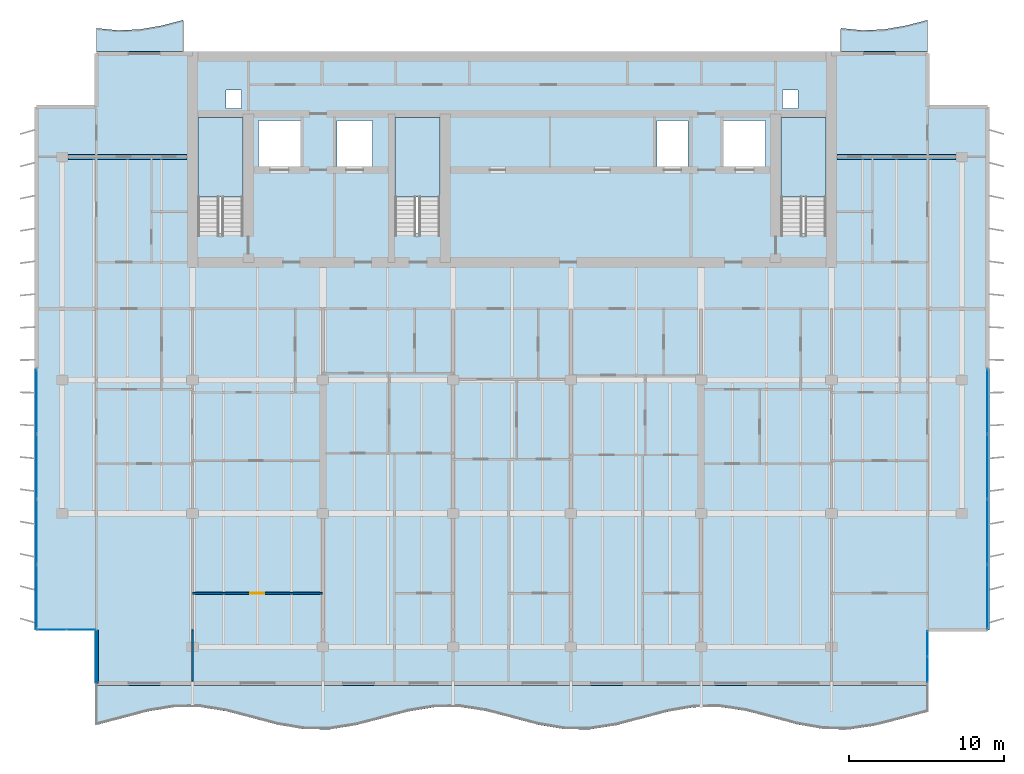
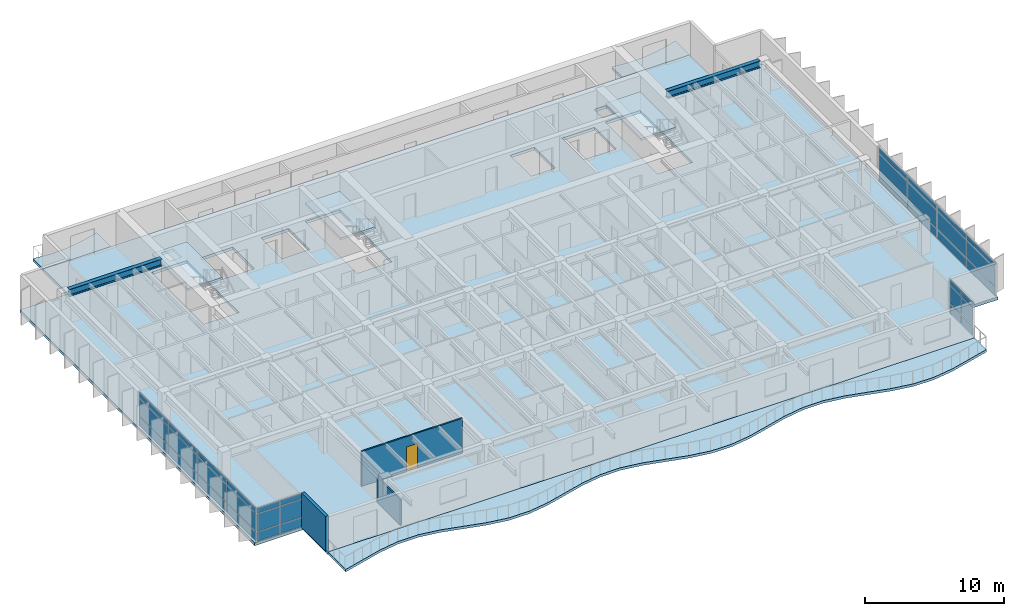
# One storey, part 5 of 16: 36 plates, 7 slabs, 3 walls, 2 beams, 1 door, 1 opening, 7 elements without a shape of their own.
"""IFC4 building model written with IfcOpenShell, lengths in metres."""

from ifc_helpers import new_model, si_unit, direction, frame, frame_2d, origin, origin_2d, place, context, subcontext, project, spatial, polyline, rectangle, i_section, outline, extrude, material, layer, layer_set, material_profile, profile_set, type_object, element, fill, aggregate, save


model = new_model("IFC4")

# Units and contexts
model_context = context("Model", 3, precision=1e-05, world=origin(), true_north=direction((0.0, 1.0)))
body_context = subcontext(model_context, "Body", "Model", "MODEL_VIEW")
ifc_project = project(units=[si_unit("LENGTHUNIT", "METRE"), si_unit("AREAUNIT", "SQUARE_METRE"), si_unit("VOLUMEUNIT", "CUBIC_METRE"), si_unit("PLANEANGLEUNIT", "RADIAN"), si_unit("MASSUNIT", "GRAM", prefix="KILO")], contexts=[model_context])

# Site, building, storey
site_placement = place(None, origin())
site = spatial("IfcSite", under=ifc_project, at=site_placement, CompositionType="ELEMENT")
building_placement = place(site_placement, origin())
building = spatial("IfcBuilding", under=site, at=building_placement, Name="Caelmar Bay Residences", CompositionType="ELEMENT")
storey_placement = place(building_placement, frame((0.0, 0.0, 233.10009765625)))
storey = spatial("IfcBuildingStorey", under=building, at=storey_placement, Name="L65", CompositionType="ELEMENT", Elevation=233.10009765625)

# Beams
ifc_material_1 = material(Name="Steel ASTM A992 Grade 50", Category="steel")
ifc_material_profile = material_profile(ifc_material_1, i_section(OverallWidth=0.324951171875, OverallDepth=0.616943359375, WebThickness=0.013916015625, FlangeThickness=0.021484375, FilletRadius=0.0126953125, at=origin_2d()), Name="W24X117")
ifc_profile_set = profile_set([ifc_material_profile], Name="Steel ASTM A992 Grade 50")
beam_type = type_object("IfcBeamType", Name="BM-SPN-W24X117", PredefinedType="SPANDREL", material=ifc_profile_set)
beam_1_placement = place(storey_placement, frame((10.264892578125, 43.800048828125, 2.741455078125), z_axis=(1.0, 0.0, 0.0), x_axis=(0.0, 1.0, 0.0)))
element("IfcBeam", 1, at=beam_1_placement, inside=storey, type_object=beam_type, Name="L65 North-West Wing Core Tie Girder", PredefinedType="SPANDREL", context=body_context, shape_type="SweptSolid", body=[
    extrude(i_section(OverallWidth=0.324951171875, OverallDepth=0.616943359375, WebThickness=0.013916015625, FlangeThickness=0.021484375, FilletRadius=0.0126953125, at=origin_2d()), origin(), (0.0, 0.0, 1.0), 7.68505859375),
])
beam_2_placement = place(storey_placement, frame((59.85009765625, 43.800048828125, 2.741455078125), z_axis=(1.0, 0.0, 0.0), x_axis=(0.0, 1.0, 0.0)))
element("IfcBeam", 2, at=beam_2_placement, inside=storey, type_object=beam_type, Name="L65 North-East Wing Core Tie Girder", PredefinedType="SPANDREL", context=body_context, shape_type="SweptSolid", body=[
    extrude(i_section(OverallWidth=0.324951171875, OverallDepth=0.616943359375, WebThickness=0.013916015625, FlangeThickness=0.021484375, FilletRadius=0.0126953125, at=origin_2d()), origin(), (0.0, 0.0, 1.0), 7.684814453125),
])

# Curtain wall, plates
ifc_material_2 = material(Name="Anodised bronze aluminium 6063-T6 and laminated glass", Category="aluminium")
ifc_layer_1 = layer(ifc_material_2, 0.179931640625)
ifc_layer_set_1 = layer_set([ifc_layer_1], Name="Anodised bronze aluminium 6063-T6 and laminated glass")
curtain_wall_type_1 = type_object("IfcCurtainWallType", Name="CW6-NTC", PredefinedType="NOTDEFINED", material=ifc_layer_set_1)
curtain_wall_1_placement = place(storey_placement, origin())
curtain_wall_1 = element("IfcCurtainWall", 3, at=curtain_wall_1_placement, inside=storey, type_object=curtain_wall_type_1, Name="CW6 curtain wall L65", PredefinedType="NOTDEFINED")
ifc_material_3 = material(Name="Bronze-tinted laminated low-E hurricane glass 28 mm", Category="glass")
ifc_layer_2 = layer(ifc_material_3, 0.028076171875)
ifc_layer_set_2 = layer_set([ifc_layer_2], Name="Bronze-tinted laminated low-E hurricane glass 28 mm")
plate_type_1 = type_object("IfcPlateType", Name="CWP-GLZ28", PredefinedType="CURTAIN_PANEL", material=ifc_layer_set_2)
plate_1_placement = place(storey_placement, frame((9.232421875, 13.300048828125, 0.080078125), z_axis=(0.0, 0.0, 1.0), x_axis=(1.0, 0.0, 0.0)))
plate_1 = element("IfcPlate", 4, at=plate_1_placement, type_object=plate_type_1, Name="CW6 panel 1.1", PredefinedType="CURTAIN_PANEL", context=body_context, shape_type="SweptSolid", body=[
    extrude(rectangle(XDim=1.804931640625, YDim=0.028076171875, at=origin_2d()), origin(), (0.0, 0.0, 1.0), 0.780029296875),
])
plate_2_placement = place(storey_placement, frame((9.232421875, 13.300048828125, 0.93994140625), z_axis=(0.0, 0.0, 1.0), x_axis=(1.0, 0.0, 0.0)))
plate_2 = element("IfcPlate", 5, at=plate_2_placement, type_object=plate_type_1, Name="CW6 panel 1.2", PredefinedType="CURTAIN_PANEL", context=body_context, shape_type="SweptSolid", body=[
    extrude(rectangle(XDim=1.804931640625, YDim=0.028076171875, at=origin_2d()), origin(), (0.0, 0.0, 1.0), 1.52001953125),
])
plate_3_placement = place(storey_placement, frame((9.232421875, 13.300048828125, 2.5400390625), z_axis=(0.0, 0.0, 1.0), x_axis=(1.0, 0.0, 0.0)))
plate_3 = element("IfcPlate", 6, at=plate_3_placement, type_object=plate_type_1, Name="CW6 panel 1.3", PredefinedType="CURTAIN_PANEL", context=body_context, shape_type="SweptSolid", body=[
    extrude(rectangle(XDim=1.804931640625, YDim=0.028076171875, at=origin_2d()), origin(), (0.0, 0.0, 1.0), 0.429931640625),
])
plate_4_placement = place(storey_placement, frame((11.117431640625, 13.300048828125, 0.080078125), z_axis=(0.0, 0.0, 1.0), x_axis=(1.0, 0.0, 0.0)))
plate_4 = element("IfcPlate", 7, at=plate_4_placement, type_object=plate_type_1, Name="CW6 panel 2.1", PredefinedType="CURTAIN_PANEL", context=body_context, shape_type="SweptSolid", body=[
    extrude(rectangle(XDim=1.804931640625, YDim=0.028076171875, at=origin_2d()), origin(), (0.0, 0.0, 1.0), 0.780029296875),
])
plate_5_placement = place(storey_placement, frame((11.117431640625, 13.300048828125, 0.93994140625), z_axis=(0.0, 0.0, 1.0), x_axis=(1.0, 0.0, 0.0)))
plate_5 = element("IfcPlate", 8, at=plate_5_placement, type_object=plate_type_1, Name="CW6 panel 2.2", PredefinedType="CURTAIN_PANEL", context=body_context, shape_type="SweptSolid", body=[
    extrude(rectangle(XDim=1.804931640625, YDim=0.028076171875, at=origin_2d()), origin(), (0.0, 0.0, 1.0), 1.52001953125),
])
plate_6_placement = place(storey_placement, frame((11.117431640625, 13.300048828125, 2.5400390625), z_axis=(0.0, 0.0, 1.0), x_axis=(1.0, 0.0, 0.0)))
plate_6 = element("IfcPlate", 9, at=plate_6_placement, type_object=plate_type_1, Name="CW6 panel 2.3", PredefinedType="CURTAIN_PANEL", context=body_context, shape_type="SweptSolid", body=[
    extrude(rectangle(XDim=1.804931640625, YDim=0.028076171875, at=origin_2d()), origin(), (0.0, 0.0, 1.0), 0.429931640625),
])
aggregate(curtain_wall_1, [plate_1, plate_2, plate_3, plate_4, plate_5, plate_6])

curtain_wall_2_placement = place(storey_placement, origin())
curtain_wall_2 = element("IfcCurtainWall", 10, at=curtain_wall_2_placement, inside=storey, type_object=curtain_wall_type_1, Name="CW6 curtain wall L65", PredefinedType="NOTDEFINED")
plate_7_placement = place(storey_placement, frame((65.699951171875, 10.732421875, 0.080078125), z_axis=(0.0, 0.0, 1.0), x_axis=(0.0, 1.0, 0.0)))
plate_7 = element("IfcPlate", 11, at=plate_7_placement, type_object=plate_type_1, Name="CW6 panel 1.1", PredefinedType="CURTAIN_PANEL", context=body_context, shape_type="SweptSolid", body=[
    extrude(rectangle(XDim=1.60498046875, YDim=0.028076171875, at=origin_2d()), origin(), (0.0, 0.0, 1.0), 0.780029296875),
])
plate_8_placement = place(storey_placement, frame((65.699951171875, 10.732421875, 0.93994140625), z_axis=(0.0, 0.0, 1.0), x_axis=(0.0, 1.0, 0.0)))
plate_8 = element("IfcPlate", 12, at=plate_8_placement, type_object=plate_type_1, Name="CW6 panel 1.2", PredefinedType="CURTAIN_PANEL", context=body_context, shape_type="SweptSolid", body=[
    extrude(rectangle(XDim=1.60498046875, YDim=0.028076171875, at=origin_2d()), origin(), (0.0, 0.0, 1.0), 1.52001953125),
])
plate_9_placement = place(storey_placement, frame((65.699951171875, 10.732421875, 2.5400390625), z_axis=(0.0, 0.0, 1.0), x_axis=(0.0, 1.0, 0.0)))
plate_9 = element("IfcPlate", 13, at=plate_9_placement, type_object=plate_type_1, Name="CW6 panel 1.3", PredefinedType="CURTAIN_PANEL", context=body_context, shape_type="SweptSolid", body=[
    extrude(rectangle(XDim=1.60498046875, YDim=0.028076171875, at=origin_2d()), origin(), (0.0, 0.0, 1.0), 0.429931640625),
])
plate_10_placement = place(storey_placement, frame((65.699951171875, 12.41748046875, 0.080078125), z_axis=(0.0, 0.0, 1.0), x_axis=(0.0, 1.0, 0.0)))
plate_10 = element("IfcPlate", 14, at=plate_10_placement, type_object=plate_type_1, Name="CW6 panel 2.1", PredefinedType="CURTAIN_PANEL", context=body_context, shape_type="SweptSolid", body=[
    extrude(rectangle(XDim=1.60498046875, YDim=0.028076171875, at=origin_2d()), origin(), (0.0, 0.0, 1.0), 0.780029296875),
])
plate_11_placement = place(storey_placement, frame((65.699951171875, 12.41748046875, 0.93994140625), z_axis=(0.0, 0.0, 1.0), x_axis=(0.0, 1.0, 0.0)))
plate_11 = element("IfcPlate", 15, at=plate_11_placement, type_object=plate_type_1, Name="CW6 panel 2.2", PredefinedType="CURTAIN_PANEL", context=body_context, shape_type="SweptSolid", body=[
    extrude(rectangle(XDim=1.60498046875, YDim=0.028076171875, at=origin_2d()), origin(), (0.0, 0.0, 1.0), 1.52001953125),
])
plate_12_placement = place(storey_placement, frame((65.699951171875, 12.41748046875, 2.5400390625), z_axis=(0.0, 0.0, 1.0), x_axis=(0.0, 1.0, 0.0)))
plate_12 = element("IfcPlate", 16, at=plate_12_placement, type_object=plate_type_1, Name="CW6 panel 2.3", PredefinedType="CURTAIN_PANEL", context=body_context, shape_type="SweptSolid", body=[
    extrude(rectangle(XDim=1.60498046875, YDim=0.028076171875, at=origin_2d()), origin(), (0.0, 0.0, 1.0), 0.429931640625),
])
aggregate(curtain_wall_2, [plate_7, plate_8, plate_9, plate_10, plate_11, plate_12])

ifc_layer_3 = layer(ifc_material_2, 0.179931640625)
ifc_layer_set_3 = layer_set([ifc_layer_3], Name="Anodised bronze aluminium 6063-T6 and laminated glass")
curtain_wall_type_2 = type_object("IfcCurtainWallType", Name="CW5-Z4", PredefinedType="NOTDEFINED", material=ifc_layer_set_3)
curtain_wall_3_placement = place(storey_placement, origin())
curtain_wall_3 = element("IfcCurtainWall", 17, at=curtain_wall_3_placement, inside=storey, type_object=curtain_wall_type_2, Name="CW5 curtain wall L65", PredefinedType="NOTDEFINED")
ifc_material_4 = material(Name="Bronze-tinted laminated low-E hurricane glass 32 mm", Category="glass")
ifc_layer_4 = layer(ifc_material_4, 0.031982421875)
ifc_layer_set_4 = layer_set([ifc_layer_4], Name="Bronze-tinted laminated low-E hurricane glass 32 mm")
plate_type_2 = type_object("IfcPlateType", Name="CWP-GLZ32", PredefinedType="CURTAIN_PANEL", material=ifc_layer_set_4)
plate_13_placement = place(storey_placement, frame((8.25, 15.42626953125, 0.080078125), z_axis=(0.0, 0.0, 1.0), x_axis=(0.0, 1.0, 0.0)))
plate_13 = element("IfcPlate", 18, at=plate_13_placement, type_object=plate_type_2, Name="CW5 panel 1.1", PredefinedType="CURTAIN_PANEL", context=body_context, shape_type="SweptSolid", body=[
    extrude(rectangle(XDim=4.092529296875, YDim=0.031982421875, at=origin_2d()), origin(), (0.0, 0.0, 1.0), 0.780029296875),
])
plate_14_placement = place(storey_placement, frame((8.25, 15.42626953125, 0.93994140625), z_axis=(0.0, 0.0, 1.0), x_axis=(0.0, 1.0, 0.0)))
plate_14 = element("IfcPlate", 19, at=plate_14_placement, type_object=plate_type_2, Name="CW5 panel 1.2", PredefinedType="CURTAIN_PANEL", context=body_context, shape_type="SweptSolid", body=[
    extrude(rectangle(XDim=4.092529296875, YDim=0.031982421875, at=origin_2d()), origin(), (0.0, 0.0, 1.0), 1.52001953125),
])
plate_15_placement = place(storey_placement, frame((8.25, 15.42626953125, 2.5400390625), z_axis=(0.0, 0.0, 1.0), x_axis=(0.0, 1.0, 0.0)))
plate_15 = element("IfcPlate", 20, at=plate_15_placement, type_object=plate_type_2, Name="CW5 panel 1.3", PredefinedType="CURTAIN_PANEL", context=body_context, shape_type="SweptSolid", body=[
    extrude(rectangle(XDim=4.092529296875, YDim=0.031982421875, at=origin_2d()), origin(), (0.0, 0.0, 1.0), 0.429931640625),
])
plate_16_placement = place(storey_placement, frame((8.25, 19.61865234375, 0.080078125), z_axis=(0.0, 0.0, 1.0), x_axis=(0.0, 1.0, 0.0)))
plate_16 = element("IfcPlate", 21, at=plate_16_placement, type_object=plate_type_2, Name="CW5 panel 2.1", PredefinedType="CURTAIN_PANEL", context=body_context, shape_type="SweptSolid", body=[
    extrude(rectangle(XDim=4.132568359375, YDim=0.031982421875, at=origin_2d()), origin(), (0.0, 0.0, 1.0), 0.780029296875),
])
plate_17_placement = place(storey_placement, frame((8.25, 19.61865234375, 0.93994140625), z_axis=(0.0, 0.0, 1.0), x_axis=(0.0, 1.0, 0.0)))
plate_17 = element("IfcPlate", 22, at=plate_17_placement, type_object=plate_type_2, Name="CW5 panel 2.2", PredefinedType="CURTAIN_PANEL", context=body_context, shape_type="SweptSolid", body=[
    extrude(rectangle(XDim=4.132568359375, YDim=0.031982421875, at=origin_2d()), origin(), (0.0, 0.0, 1.0), 1.52001953125),
])
plate_18_placement = place(storey_placement, frame((8.25, 19.61865234375, 2.5400390625), z_axis=(0.0, 0.0, 1.0), x_axis=(0.0, 1.0, 0.0)))
plate_18 = element("IfcPlate", 23, at=plate_18_placement, type_object=plate_type_2, Name="CW5 panel 2.3", PredefinedType="CURTAIN_PANEL", context=body_context, shape_type="SweptSolid", body=[
    extrude(rectangle(XDim=4.132568359375, YDim=0.031982421875, at=origin_2d()), origin(), (0.0, 0.0, 1.0), 0.429931640625),
])
plate_19_placement = place(storey_placement, frame((8.25, 23.831298828125, 0.080078125), z_axis=(0.0, 0.0, 1.0), x_axis=(0.0, 1.0, 0.0)))
plate_19 = element("IfcPlate", 24, at=plate_19_placement, type_object=plate_type_2, Name="CW5 panel 3.1", PredefinedType="CURTAIN_PANEL", context=body_context, shape_type="SweptSolid", body=[
    extrude(rectangle(XDim=4.132568359375, YDim=0.031982421875, at=origin_2d()), origin(), (0.0, 0.0, 1.0), 0.780029296875),
])
plate_20_placement = place(storey_placement, frame((8.25, 23.831298828125, 0.93994140625), z_axis=(0.0, 0.0, 1.0), x_axis=(0.0, 1.0, 0.0)))
plate_20 = element("IfcPlate", 25, at=plate_20_placement, type_object=plate_type_2, Name="CW5 panel 3.2", PredefinedType="CURTAIN_PANEL", context=body_context, shape_type="SweptSolid", body=[
    extrude(rectangle(XDim=4.132568359375, YDim=0.031982421875, at=origin_2d()), origin(), (0.0, 0.0, 1.0), 1.52001953125),
])
plate_21_placement = place(storey_placement, frame((8.25, 23.831298828125, 2.5400390625), z_axis=(0.0, 0.0, 1.0), x_axis=(0.0, 1.0, 0.0)))
plate_21 = element("IfcPlate", 26, at=plate_21_placement, type_object=plate_type_2, Name="CW5 panel 3.3", PredefinedType="CURTAIN_PANEL", context=body_context, shape_type="SweptSolid", body=[
    extrude(rectangle(XDim=4.132568359375, YDim=0.031982421875, at=origin_2d()), origin(), (0.0, 0.0, 1.0), 0.429931640625),
])
plate_22_placement = place(storey_placement, frame((8.25, 28.023681640625, 0.080078125), z_axis=(0.0, 0.0, 1.0), x_axis=(0.0, 1.0, 0.0)))
plate_22 = element("IfcPlate", 27, at=plate_22_placement, type_object=plate_type_2, Name="CW5 panel 4.1", PredefinedType="CURTAIN_PANEL", context=body_context, shape_type="SweptSolid", body=[
    extrude(rectangle(XDim=4.092529296875, YDim=0.031982421875, at=origin_2d()), origin(), (0.0, 0.0, 1.0), 0.780029296875),
])
plate_23_placement = place(storey_placement, frame((8.25, 28.023681640625, 0.93994140625), z_axis=(0.0, 0.0, 1.0), x_axis=(0.0, 1.0, 0.0)))
plate_23 = element("IfcPlate", 28, at=plate_23_placement, type_object=plate_type_2, Name="CW5 panel 4.2", PredefinedType="CURTAIN_PANEL", context=body_context, shape_type="SweptSolid", body=[
    extrude(rectangle(XDim=4.092529296875, YDim=0.031982421875, at=origin_2d()), origin(), (0.0, 0.0, 1.0), 1.52001953125),
])
plate_24_placement = place(storey_placement, frame((8.25, 28.023681640625, 2.5400390625), z_axis=(0.0, 0.0, 1.0), x_axis=(0.0, 1.0, 0.0)))
plate_24 = element("IfcPlate", 29, at=plate_24_placement, type_object=plate_type_2, Name="CW5 panel 4.3", PredefinedType="CURTAIN_PANEL", context=body_context, shape_type="SweptSolid", body=[
    extrude(rectangle(XDim=4.092529296875, YDim=0.031982421875, at=origin_2d()), origin(), (0.0, 0.0, 1.0), 0.429931640625),
])
aggregate(curtain_wall_3, [plate_13, plate_14, plate_15, plate_16, plate_17, plate_18, plate_19, plate_20, plate_21, plate_22, plate_23, plate_24])

curtain_wall_4_placement = place(storey_placement, origin())
curtain_wall_4 = element("IfcCurtainWall", 30, at=curtain_wall_4_placement, inside=storey, type_object=curtain_wall_type_2, Name="CW5 curtain wall L65", PredefinedType="NOTDEFINED")
plate_25_placement = place(storey_placement, frame((69.550048828125, 28.023681640625, 0.080078125), z_axis=(0.0, 0.0, 1.0), x_axis=(0.0, -1.0, 0.0)))
plate_25 = element("IfcPlate", 31, at=plate_25_placement, type_object=plate_type_2, Name="CW5 panel 1.1", PredefinedType="CURTAIN_PANEL", context=body_context, shape_type="SweptSolid", body=[
    extrude(rectangle(XDim=4.092529296875, YDim=0.031982421875, at=origin_2d()), origin(), (0.0, 0.0, 1.0), 0.780029296875),
])
plate_26_placement = place(storey_placement, frame((69.550048828125, 28.023681640625, 0.93994140625), z_axis=(0.0, 0.0, 1.0), x_axis=(0.0, -1.0, 0.0)))
plate_26 = element("IfcPlate", 32, at=plate_26_placement, type_object=plate_type_2, Name="CW5 panel 1.2", PredefinedType="CURTAIN_PANEL", context=body_context, shape_type="SweptSolid", body=[
    extrude(rectangle(XDim=4.092529296875, YDim=0.031982421875, at=origin_2d()), origin(), (0.0, 0.0, 1.0), 1.52001953125),
])
plate_27_placement = place(storey_placement, frame((69.550048828125, 28.023681640625, 2.5400390625), z_axis=(0.0, 0.0, 1.0), x_axis=(0.0, -1.0, 0.0)))
plate_27 = element("IfcPlate", 33, at=plate_27_placement, type_object=plate_type_2, Name="CW5 panel 1.3", PredefinedType="CURTAIN_PANEL", context=body_context, shape_type="SweptSolid", body=[
    extrude(rectangle(XDim=4.092529296875, YDim=0.031982421875, at=origin_2d()), origin(), (0.0, 0.0, 1.0), 0.429931640625),
])
plate_28_placement = place(storey_placement, frame((69.550048828125, 23.831298828125, 0.080078125), z_axis=(0.0, 0.0, 1.0), x_axis=(0.0, -1.0, 0.0)))
plate_28 = element("IfcPlate", 34, at=plate_28_placement, type_object=plate_type_2, Name="CW5 panel 2.1", PredefinedType="CURTAIN_PANEL", context=body_context, shape_type="SweptSolid", body=[
    extrude(rectangle(XDim=4.132568359375, YDim=0.031982421875, at=origin_2d()), origin(), (0.0, 0.0, 1.0), 0.780029296875),
])
plate_29_placement = place(storey_placement, frame((69.550048828125, 23.831298828125, 0.93994140625), z_axis=(0.0, 0.0, 1.0), x_axis=(0.0, -1.0, 0.0)))
plate_29 = element("IfcPlate", 35, at=plate_29_placement, type_object=plate_type_2, Name="CW5 panel 2.2", PredefinedType="CURTAIN_PANEL", context=body_context, shape_type="SweptSolid", body=[
    extrude(rectangle(XDim=4.132568359375, YDim=0.031982421875, at=origin_2d()), origin(), (0.0, 0.0, 1.0), 1.52001953125),
])
plate_30_placement = place(storey_placement, frame((69.550048828125, 23.831298828125, 2.5400390625), z_axis=(0.0, 0.0, 1.0), x_axis=(0.0, -1.0, 0.0)))
plate_30 = element("IfcPlate", 36, at=plate_30_placement, type_object=plate_type_2, Name="CW5 panel 2.3", PredefinedType="CURTAIN_PANEL", context=body_context, shape_type="SweptSolid", body=[
    extrude(rectangle(XDim=4.132568359375, YDim=0.031982421875, at=origin_2d()), origin(), (0.0, 0.0, 1.0), 0.429931640625),
])
plate_31_placement = place(storey_placement, frame((69.550048828125, 19.61865234375, 0.080078125), z_axis=(0.0, 0.0, 1.0), x_axis=(0.0, -1.0, 0.0)))
plate_31 = element("IfcPlate", 37, at=plate_31_placement, type_object=plate_type_2, Name="CW5 panel 3.1", PredefinedType="CURTAIN_PANEL", context=body_context, shape_type="SweptSolid", body=[
    extrude(rectangle(XDim=4.132568359375, YDim=0.031982421875, at=origin_2d()), origin(), (0.0, 0.0, 1.0), 0.780029296875),
])
plate_32_placement = place(storey_placement, frame((69.550048828125, 19.61865234375, 0.93994140625), z_axis=(0.0, 0.0, 1.0), x_axis=(0.0, -1.0, 0.0)))
plate_32 = element("IfcPlate", 38, at=plate_32_placement, type_object=plate_type_2, Name="CW5 panel 3.2", PredefinedType="CURTAIN_PANEL", context=body_context, shape_type="SweptSolid", body=[
    extrude(rectangle(XDim=4.132568359375, YDim=0.031982421875, at=origin_2d()), origin(), (0.0, 0.0, 1.0), 1.52001953125),
])
plate_33_placement = place(storey_placement, frame((69.550048828125, 19.61865234375, 2.5400390625), z_axis=(0.0, 0.0, 1.0), x_axis=(0.0, -1.0, 0.0)))
plate_33 = element("IfcPlate", 39, at=plate_33_placement, type_object=plate_type_2, Name="CW5 panel 3.3", PredefinedType="CURTAIN_PANEL", context=body_context, shape_type="SweptSolid", body=[
    extrude(rectangle(XDim=4.132568359375, YDim=0.031982421875, at=origin_2d()), origin(), (0.0, 0.0, 1.0), 0.429931640625),
])
plate_34_placement = place(storey_placement, frame((69.550048828125, 15.42626953125, 0.080078125), z_axis=(0.0, 0.0, 1.0), x_axis=(0.0, -1.0, 0.0)))
plate_34 = element("IfcPlate", 40, at=plate_34_placement, type_object=plate_type_2, Name="CW5 panel 4.1", PredefinedType="CURTAIN_PANEL", context=body_context, shape_type="SweptSolid", body=[
    extrude(rectangle(XDim=4.092529296875, YDim=0.031982421875, at=origin_2d()), origin(), (0.0, 0.0, 1.0), 0.780029296875),
])
plate_35_placement = place(storey_placement, frame((69.550048828125, 15.42626953125, 0.93994140625), z_axis=(0.0, 0.0, 1.0), x_axis=(0.0, -1.0, 0.0)))
plate_35 = element("IfcPlate", 41, at=plate_35_placement, type_object=plate_type_2, Name="CW5 panel 4.2", PredefinedType="CURTAIN_PANEL", context=body_context, shape_type="SweptSolid", body=[
    extrude(rectangle(XDim=4.092529296875, YDim=0.031982421875, at=origin_2d()), origin(), (0.0, 0.0, 1.0), 1.52001953125),
])
plate_36_placement = place(storey_placement, frame((69.550048828125, 15.42626953125, 2.5400390625), z_axis=(0.0, 0.0, 1.0), x_axis=(0.0, -1.0, 0.0)))
plate_36 = element("IfcPlate", 42, at=plate_36_placement, type_object=plate_type_2, Name="CW5 panel 4.3", PredefinedType="CURTAIN_PANEL", context=body_context, shape_type="SweptSolid", body=[
    extrude(rectangle(XDim=4.092529296875, YDim=0.031982421875, at=origin_2d()), origin(), (0.0, 0.0, 1.0), 0.429931640625),
])
aggregate(curtain_wall_4, [plate_25, plate_26, plate_27, plate_28, plate_29, plate_30, plate_31, plate_32, plate_33, plate_34, plate_35, plate_36])

# Slabs
ifc_material_5 = material(Name="Concrete f'c 40 MPa (6,000 psi)", Category="concrete")
ifc_layer_5 = layer(ifc_material_5, 0.219970703125)
ifc_layer_set_5 = layer_set([ifc_layer_5], Name="Concrete f'c 40 MPa (6,000 psi)")
slab_type_1 = type_object("IfcSlabType", Name="SLB-BAL-220", PredefinedType="FLOOR", material=ifc_layer_set_5)
slab_1_placement = place(storey_placement, frame((0.0, 0.0, -0.22021484375)))
element("IfcSlab", 43, at=slab_1_placement, inside=storey, type_object=slab_type_1, Name="L65 Sinusoidal Tree-Balcony Slab south", PredefinedType="FLOOR", context=body_context, shape_type="SweptSolid", body=[
    extrude(outline(polyline([(12.10009765625, 7.1591796875), (13.77490234375, 7.5986328125), (15.449951171875, 8.03857421875), (17.125, 8.31201171875), (18.800048828125, 8.31494140625), (20.47509765625, 8.04638671875), (22.14990234375, 7.6083984375), (23.824951171875, 7.1669921875), (25.5, 6.890380859375), (27.175048828125, 6.8828125), (28.85009765625, 7.14794921875), (30.52490234375, 7.584716796875), (32.199951171875, 8.027099609375), (33.875, 8.307373046875), (35.550048828125, 8.319091796875), (37.22509765625, 8.0576171875), (38.89990234375, 7.622314453125), (40.574951171875, 7.1787109375), (42.25, 6.89501953125), (43.925048828125, 6.87890625), (45.60009765625, 7.13671875), (47.27490234375, 7.570556640625), (48.949951171875, 8.015380859375), (50.625, 8.302734375), (52.300048828125, 8.322998046875), (53.97509765625, 8.068603515625), (55.64990234375, 7.636474609375), (57.324951171875, 7.190185546875), (59.0, 6.89990234375), (60.675048828125, 6.875244140625), (62.35009765625, 7.125732421875), (64.02490234375, 7.556396484375), (65.699951171875, 8.00390625), (65.699951171875, 9.699951171875), (12.10009765625, 9.699951171875), (12.10009765625, 7.1591796875)])), origin(), (0.0, 0.0, 1.0), 0.22021484375),
])
slab_2_placement = place(storey_placement, frame((0.0, 0.0, -0.22021484375)))
element("IfcSlab", 44, at=slab_2_placement, inside=storey, type_object=slab_type_1, Name="L65 Sinusoidal Tree-Balcony Slab north_west", PredefinedType="FLOOR", context=body_context, shape_type="SweptSolid", body=[
    extrude(outline(polyline([(12.10009765625, 50.60009765625), (17.699951171875, 50.60009765625), (17.699951171875, 52.62158203125), (16.300048828125, 52.25927734375), (14.89990234375, 52.014892578125), (13.5, 51.9541015625), (12.10009765625, 52.09326171875), (12.10009765625, 50.60009765625)])), origin(), (0.0, 0.0, 1.0), 0.22021484375),
])
slab_3_placement = place(storey_placement, frame((0.0, 0.0, -0.22021484375)))
element("IfcSlab", 45, at=slab_3_placement, inside=storey, type_object=slab_type_1, Name="L65 Sinusoidal Tree-Balcony Slab north_east", PredefinedType="FLOOR", context=body_context, shape_type="SweptSolid", body=[
    extrude(outline(polyline([(60.10009765625, 50.60009765625), (65.699951171875, 50.60009765625), (65.699951171875, 52.62158203125), (64.300048828125, 52.25927734375), (62.89990234375, 52.014892578125), (61.5, 51.9541015625), (60.10009765625, 52.09326171875), (60.10009765625, 50.60009765625)])), origin(), (0.0, 0.0, 1.0), 0.22021484375),
])

# Stair, slab
stair_type = type_object("IfcStairType", Name="ST-TYP-165", PredefinedType="HALF_TURN_STAIR", material=ifc_material_5)
stair_1_placement = place(storey_placement, origin())
stair_1 = element("IfcStair", 46, at=stair_1_placement, inside=storey, type_object=stair_type, Name="L65 West Smokeproof Exit Stair ST1", PredefinedType="HALF_TURN_STAIR")
ifc_layer_6 = layer(ifc_material_5, 0.199951171875)
ifc_layer_set_6 = layer_set([ifc_layer_6], Name="Concrete f'c 40 MPa (6,000 psi)")
slab_type_2 = type_object("IfcSlabType", Name="SLB-LND-200", PredefinedType="LANDING", material=ifc_layer_set_6)
slab_4_placement = place(storey_placement, frame((0.0, 0.0, 1.449951171875)))
slab_4 = element("IfcSlab", 47, at=slab_4_placement, type_object=slab_type_2, Name="ST1 landing 1", PredefinedType="LANDING", context=body_context, shape_type="SweptSolid", body=[
    extrude(outline(polyline([(21.550048828125, 41.219970703125), (21.550048828125, 46.35009765625), (18.64990234375, 46.35009765625), (18.64990234375, 41.219970703125), (21.550048828125, 41.219970703125)])), origin(), (0.0, 0.0, 1.0), 0.199951171875),
])
aggregate(stair_1, [slab_4])

stair_2_placement = place(storey_placement, origin())
stair_2 = element("IfcStair", 48, at=stair_2_placement, inside=storey, type_object=stair_type, Name="L65 East Smokeproof Exit Stair ST2", PredefinedType="HALF_TURN_STAIR")
slab_5_placement = place(storey_placement, frame((0.0, 0.0, 1.449951171875)))
slab_5 = element("IfcSlab", 49, at=slab_5_placement, type_object=slab_type_2, Name="ST2 landing 1", PredefinedType="LANDING", context=body_context, shape_type="SweptSolid", body=[
    extrude(outline(polyline([(59.14990234375, 41.219970703125), (59.14990234375, 46.35009765625), (56.25, 46.35009765625), (56.25, 41.219970703125), (59.14990234375, 41.219970703125)])), origin(), (0.0, 0.0, 1.0), 0.199951171875),
])
aggregate(stair_2, [slab_5])

stair_3_placement = place(storey_placement, origin())
stair_3 = element("IfcStair", 50, at=stair_3_placement, inside=storey, type_object=stair_type, Name="L65 Central Smokeproof Exit Stair ST3", PredefinedType="HALF_TURN_STAIR")
slab_6_placement = place(storey_placement, frame((0.0, 0.0, 1.449951171875)))
slab_6 = element("IfcSlab", 51, at=slab_6_placement, type_object=slab_type_2, Name="ST3 landing 1", PredefinedType="LANDING", context=body_context, shape_type="SweptSolid", body=[
    extrude(outline(polyline([(34.25, 41.219970703125), (34.25, 46.35009765625), (31.35009765625, 46.35009765625), (31.35009765625, 41.219970703125), (34.25, 41.219970703125)])), origin(), (0.0, 0.0, 1.0), 0.199951171875),
])
aggregate(stair_3, [slab_6])

# Slab
ifc_layer_7 = layer(ifc_material_5, 0.25)
ifc_layer_set_7 = layer_set([ifc_layer_7], Name="Concrete f'c 40 MPa (6,000 psi)")
slab_type_3 = type_object("IfcSlabType", Name="SLB-RES-250", PredefinedType="FLOOR", material=ifc_layer_set_7)
slab_7_placement = place(storey_placement, frame((0.0, 0.0, -0.25)))
element("IfcSlab", 52, at=slab_7_placement, inside=storey, type_object=slab_type_3, Name="L65 Structural Floor Slab", PredefinedType="FLOOR", context=body_context, shape_type="SweptSolid", body=[
    extrude(outline(polyline([(12.10009765625, 9.699951171875), (65.699951171875, 9.699951171875), (65.699951171875, 13.300048828125), (69.699951171875, 13.300048828125), (69.699951171875, 47.0), (65.699951171875, 47.0), (65.699951171875, 50.60009765625), (12.10009765625, 50.60009765625), (12.10009765625, 47.0), (8.10009765625, 47.0), (8.10009765625, 13.300048828125), (12.10009765625, 13.300048828125), (12.10009765625, 9.699951171875)]), holes=[polyline([(18.64990234375, 38.85009765625), (21.550048828125, 38.85009765625), (21.550048828125, 46.35009765625), (18.64990234375, 46.35009765625), (18.64990234375, 38.85009765625)]), polyline([(56.25, 38.85009765625), (59.14990234375, 38.85009765625), (59.14990234375, 46.35009765625), (56.25, 46.35009765625), (56.25, 38.85009765625)]), polyline([(31.35009765625, 38.85009765625), (34.25, 38.85009765625), (34.25, 46.35009765625), (31.35009765625, 46.35009765625), (31.35009765625, 38.85009765625)]), polyline([(22.550048828125, 43.050048828125), (25.25, 43.050048828125), (25.25, 46.14990234375), (22.550048828125, 46.14990234375), (22.550048828125, 43.050048828125)]), polyline([(52.550048828125, 43.050048828125), (55.25, 43.050048828125), (55.25, 46.14990234375), (52.550048828125, 46.14990234375), (52.550048828125, 43.050048828125)]), polyline([(48.25, 43.14990234375), (50.25, 43.14990234375), (50.25, 46.14990234375), (48.25, 46.14990234375), (48.25, 43.14990234375)]), polyline([(27.60009765625, 43.14990234375), (29.89990234375, 43.14990234375), (29.89990234375, 46.14990234375), (27.60009765625, 46.14990234375), (27.60009765625, 43.14990234375)]), polyline([(20.449951171875, 46.89990234375), (21.449951171875, 46.89990234375), (21.449951171875, 48.10009765625), (20.449951171875, 48.10009765625), (20.449951171875, 46.89990234375)]), polyline([(56.35009765625, 46.89990234375), (57.35009765625, 46.89990234375), (57.35009765625, 48.10009765625), (56.35009765625, 48.10009765625), (56.35009765625, 46.89990234375)])]), origin(), (0.0, 0.0, 1.0), 0.25),
])

# Walls
ifc_material_6 = material(Name="Precast concrete f'c 40 MPa (6,000 psi)", Category="concrete")
ifc_layer_8 = layer(ifc_material_6, 0.25)
ifc_layer_set_8 = layer_set([ifc_layer_8], Name="Precast concrete f'c 40 MPa (6,000 psi)")
wall_type_1 = type_object("IfcWallType", Name="W-EXT-250", PredefinedType="ELEMENTEDWALL", material=ifc_layer_set_8)
wall_1_placement = place(storey_placement, frame((12.10009765625, 13.300048828125, 0.0), z_axis=(0.0, 0.0, 1.0), x_axis=(0.0, -1.0, 0.0)))
element("IfcWall", 53, at=wall_1_placement, inside=storey, type_object=wall_type_1, Name="L65 SW Notch Return Wall", PredefinedType="ELEMENTEDWALL", context=body_context, shape_type="SweptSolid", body=[
    extrude(rectangle(XDim=3.449951171875, YDim=0.25, at=frame_2d((1.72509765625, 0.0))), origin(), (0.0, 0.0, 1.0), 3.0498046875),
])
ifc_material_7 = material(Name="Acoustic metal-stud gypsum partition 120 mm")
ifc_layer_9 = layer(ifc_material_7, 0.1201171875)
ifc_layer_set_9 = layer_set([ifc_layer_9], Name="Acoustic metal-stud gypsum partition 120 mm")
wall_type_2 = type_object("IfcWallType", Name="W-PRT-120", PredefinedType="PARTITIONING", material=ifc_layer_set_9)
wall_2_placement = place(storey_placement, frame((18.300048828125, 9.9951171875, 0.0), z_axis=(0.0, 0.0, 1.0), x_axis=(0.0, 1.0, 0.0)))
element("IfcWall", 54, at=wall_2_placement, inside=storey, type_object=wall_type_2, Name="L65 Partition Wall V008", PredefinedType="PARTITIONING", context=body_context, shape_type="SweptSolid", body=[
    extrude(rectangle(XDim=3.304931640625, YDim=0.1201171875, at=frame_2d((1.65234375, 0.0))), origin(), (0.0, 0.0, 1.0), 2.262939453125),
])

# Wall, opening, door
wall_3_placement = place(storey_placement, frame((18.300048828125, 15.64990234375, 0.0), z_axis=(0.0, 0.0, 1.0), x_axis=(1.0, 0.0, 0.0)))
wall_3 = element("IfcWall", 55, at=wall_3_placement, inside=storey, type_object=wall_type_2, Name="L65 Partition Wall H067", PredefinedType="PARTITIONING", context=body_context, shape_type="SweptSolid", body=[
    extrude(rectangle(XDim=8.349853515625, YDim=0.1201171875, at=frame_2d((4.1748046875, 0.0))), origin(), (0.0, 0.0, 1.0), 3.0498046875),
])
opening_placement = place(wall_3_placement, frame((3.72509765625, 0.0, 0.0)))
opening = element("IfcOpeningElement", 56, at=opening_placement, cuts=wall_3, Name="Opening D-L65-132", PredefinedType="OPENING", context=body_context, shape_type="SweptSolid", body=[
    extrude(rectangle(XDim=0.89990234375, YDim=2.14990234375, at=frame_2d((0.449951171875, 1.074951171875))), frame((0.0, 0.070068359375, 0.0), z_axis=(0.0, -1.0, 0.0), x_axis=(1.0, 0.0, 0.0)), (0.0, 0.0, 1.0), 0.14013671875),
])
ifc_material_8 = material(Name="Solid walnut timber interior door leaf and frame", Category="wood")
ifc_layer_10 = layer(ifc_material_8, 0.050048828125)
ifc_layer_set_10 = layer_set([ifc_layer_10], Name="Solid walnut timber interior door leaf and frame")
door_type = type_object("IfcDoorType", Name="D-ROOM-900", OperationType="NOTDEFINED", PredefinedType="DOOR", material=ifc_layer_set_10)
door_placement = place(opening_placement, origin())
door = element("IfcDoor", 57, at=door_placement, inside=storey, type_object=door_type, Name="L65 Residence 01 Primary Bedroom 1 Door", OperationType="SINGLE_SWING_LEFT", OverallHeight=2.14990234375, OverallWidth=0.89990234375, PredefinedType="DOOR", context=body_context, shape_type="SweptSolid", body=[
    extrude(rectangle(XDim=0.89990234375, YDim=2.14990234375, at=frame_2d((0.449951171875, 1.074951171875))), frame((0.0, 0.02490234375, 0.0), z_axis=(0.0, -1.0, 0.0), x_axis=(1.0, 0.0, 0.0)), (0.0, 0.0, 1.0), 0.050048828125),
])
fill(opening, door)

save(model, "model.ifc")
